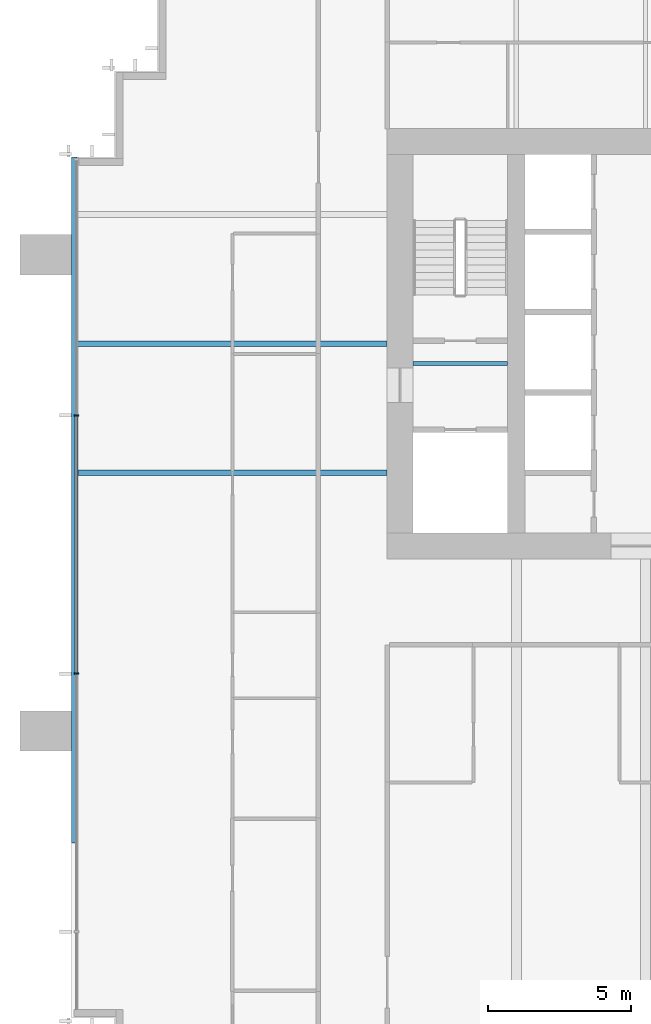
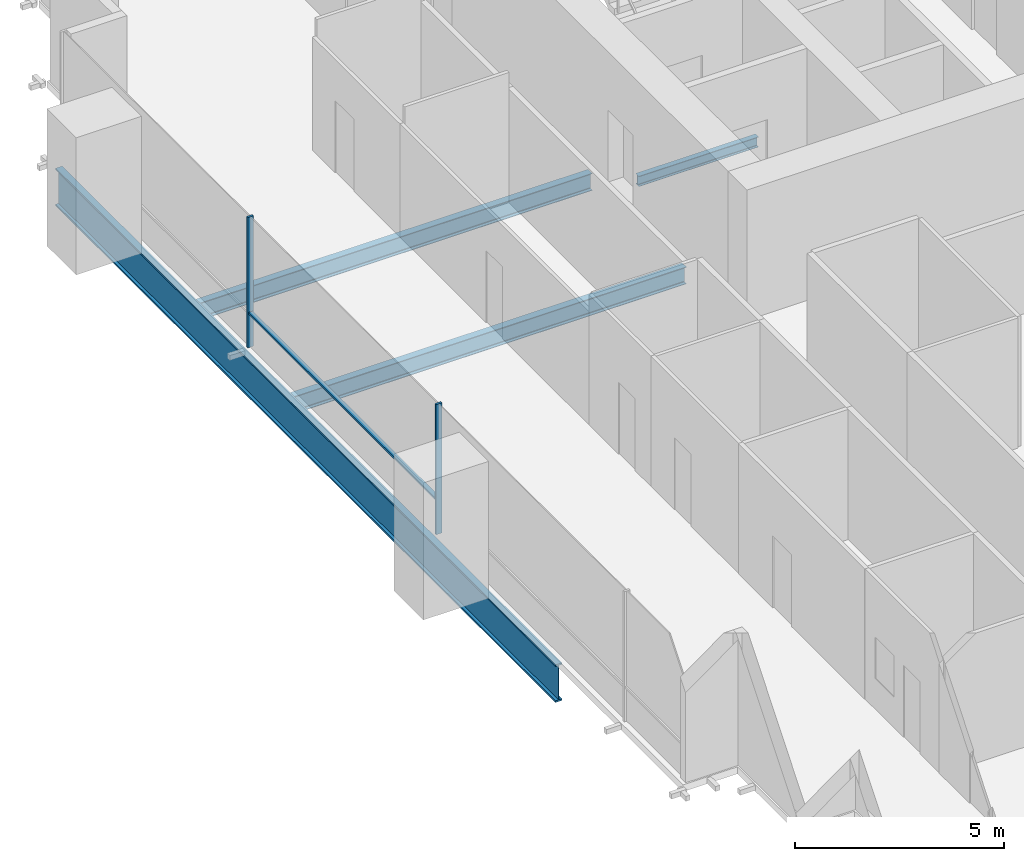
# One storey, part 4 of 15: 4 beams, 3 members, 1 element without a shape of its own.
"""IFC4 building model written with IfcOpenShell, lengths in metres."""

from ifc_helpers import new_model, si_unit, direction, frame, origin, origin_2d, place, context, subcontext, project, spatial, rectangle, i_section, extrude, material, material_profile, profile_set, type_object, element, aggregate, save


model = new_model("IFC4")

# Units and contexts
model_context = context("Model", 3, precision=1e-05, world=origin(), true_north=direction((0.0, 1.0)))
body_context = subcontext(model_context, "Body", "Model", "MODEL_VIEW")
ifc_project = project(units=[si_unit("LENGTHUNIT", "METRE"), si_unit("AREAUNIT", "SQUARE_METRE"), si_unit("VOLUMEUNIT", "CUBIC_METRE"), si_unit("PLANEANGLEUNIT", "RADIAN"), si_unit("MASSUNIT", "GRAM", prefix="KILO")], contexts=[model_context])

# Site, building, storey
site_placement = place(None, origin())
site = spatial("IfcSite", under=ifc_project, at=site_placement, CompositionType="ELEMENT")
building_placement = place(site_placement, origin())
building = spatial("IfcBuilding", under=site, at=building_placement, Name="Rattan Terrace Tower", CompositionType="ELEMENT")
storey_placement = place(building_placement, frame((0.0, 0.0, 142.10009765625)))
storey = spatial("IfcBuildingStorey", under=building, at=storey_placement, Name="L32", CompositionType="ELEMENT", Elevation=142.10009765625)

# Curtain wall, members
ifc_material_1 = material(Name="Aluminium and glass", Category="aluminium")
curtain_wall_type = type_object("IfcCurtainWallType", Name="Facade Unitised Curtain Wall", PredefinedType="NOTDEFINED", material=ifc_material_1)
curtain_wall_placement = place(storey_placement, origin())
curtain_wall = element("IfcCurtainWall", 1, at=curtain_wall_placement, inside=storey, type_object=curtain_wall_type, Name="Curtain wall L32-3", PredefinedType="NOTDEFINED")
ifc_material_2 = material(Name="Aluminium", Category="aluminium")
ifc_material_profile_1 = material_profile(ifc_material_2, rectangle(XDim=0.06005859375, YDim=0.159912109375, at=origin_2d()), Name="Aluminium 60x160")
ifc_profile_set_1 = profile_set([ifc_material_profile_1], Name="Aluminium")
member_type_1 = type_object("IfcMemberType", Name="Facade CW Mullion 60x160", PredefinedType="MULLION", material=ifc_profile_set_1)
member_1_placement = place(storey_placement, frame((-28.830078125, -2.5, 0.0), z_axis=(0.0, 0.0, 1.0), x_axis=(0.0, -1.0, 0.0)))
member_1 = element("IfcMember", 2, at=member_1_placement, type_object=member_type_1, Name="Mullion cwl-L32-003.2", PredefinedType="MULLION", context=body_context, shape_type="SweptSolid", body=[
    extrude(rectangle(XDim=0.06005859375, YDim=0.159912109375, at=origin_2d()), origin(), (0.0, 0.0, 1.0), 3.7998046875),
])
member_2_placement = place(storey_placement, frame((-28.830078125, -11.5, 0.0), z_axis=(0.0, 0.0, 1.0), x_axis=(0.0, -1.0, 0.0)))
member_2 = element("IfcMember", 3, at=member_2_placement, type_object=member_type_1, Name="Mullion cwl-L32-003.3", PredefinedType="MULLION", context=body_context, shape_type="SweptSolid", body=[
    extrude(rectangle(XDim=0.06005859375, YDim=0.159912109375, at=origin_2d()), origin(), (0.0, 0.0, 1.0), 3.7998046875),
])
ifc_material_3 = material(Name="Aluminium", Category="aluminium")
ifc_material_profile_2 = material_profile(ifc_material_3, rectangle(XDim=0.1201171875, YDim=0.06005859375, at=origin_2d()), Name="Aluminium 120x60")
ifc_profile_set_2 = profile_set([ifc_material_profile_2], Name="Aluminium")
member_type_2 = type_object("IfcMemberType", Name="Facade CW Transom 120x60", PredefinedType="USERDEFINED", material=ifc_profile_set_2)
member_3_placement = place(storey_placement, frame((-28.830078125, -2.530029296875, 1.0), z_axis=(0.0, -1.0, 0.0), x_axis=(1.0, 0.0, 0.0)))
member_3 = element("IfcMember", 4, at=member_3_placement, type_object=member_type_2, Name="Transom cwl-L32-003.2", ObjectType="TRANSOM", PredefinedType="USERDEFINED", context=body_context, shape_type="SweptSolid", body=[
    extrude(rectangle(XDim=0.1201171875, YDim=0.06005859375, at=origin_2d()), origin(), (0.0, 0.0, 1.0), 8.93994140625),
])
aggregate(curtain_wall, [member_1, member_2, member_3])

# Beams
ifc_material_4 = material(Name="Steel S460", Category="steel")
ifc_material_profile_3 = material_profile(ifc_material_4, i_section(OverallWidth=0.179931640625, OverallDepth=1.10009765625, WebThickness=0.01611328125, FlangeThickness=0.050048828125, at=origin_2d()), Name="PG 1100x180-16-50")
ifc_profile_set_3 = profile_set([ifc_material_profile_3], Name="Steel S460")
beam_type_1 = type_object("IfcBeamType", Name="Frame edge girder PG 1100x180-16-50", PredefinedType="SPANDREL", material=ifc_profile_set_3)
beam_1_placement = place(storey_placement, frame((-28.909912109375, -17.39990234375, -0.75), z_axis=(0.0, 1.0, 0.0), x_axis=(-1.0, 0.0, 0.0)))
element("IfcBeam", 5, at=beam_1_placement, inside=storey, type_object=beam_type_1, Name="gdr-L32-003", PredefinedType="SPANDREL", context=body_context, shape_type="SweptSolid", body=[
    extrude(i_section(OverallWidth=0.179931640625, OverallDepth=1.10009765625, WebThickness=0.01611328125, FlangeThickness=0.050048828125, at=origin_2d()), origin(), (0.0, 0.0, 1.0), 23.89990234375),
])
ifc_material_5 = material(Name="Steel S355", Category="steel")
ifc_material_profile_4 = material_profile(ifc_material_5, i_section(OverallWidth=0.14990234375, OverallDepth=0.300048828125, WebThickness=0.007080078125, FlangeThickness=0.0107421875, FilletRadius=0.014892578125, at=origin_2d()), Name="IPE 300")
ifc_profile_set_4 = profile_set([ifc_material_profile_4], Name="Steel S355")
beam_type_2 = type_object("IfcBeamType", Name="Frame floor beam IPE 300", PredefinedType="JOIST", material=ifc_profile_set_4)
beam_2_placement = place(storey_placement, frame((-17.10009765625, -0.695068359375, -0.35009765625), z_axis=(1.0, 0.0, 0.0), x_axis=(0.0, 1.0, 0.0)))
element("IfcBeam", 6, at=beam_2_placement, inside=storey, type_object=beam_type_2, Name="bm-L32-001", PredefinedType="JOIST", context=body_context, shape_type="SweptSolid", body=[
    extrude(i_section(OverallWidth=0.14990234375, OverallDepth=0.300048828125, WebThickness=0.007080078125, FlangeThickness=0.0107421875, FilletRadius=0.014892578125, at=origin_2d()), origin(), (0.0, 0.0, 1.0), 3.300048828125),
])
ifc_material_6 = material(Name="Steel S355", Category="steel")
ifc_material_profile_5 = material_profile(ifc_material_6, i_section(OverallWidth=0.199951171875, OverallDepth=0.5, WebThickness=0.01025390625, FlangeThickness=0.01611328125, FilletRadius=0.02099609375, at=origin_2d()), Name="IPE 500")
ifc_profile_set_5 = profile_set([ifc_material_profile_5], Name="Steel S355")
beam_type_3 = type_object("IfcBeamType", Name="Frame floor beam IPE 500", PredefinedType="JOIST", material=ifc_profile_set_5)
for number, where, z_axis, x_axis, name in (
    (7, (-28.820068359375, -4.5, -0.4501953125), (1.0, 0.0, 0.0), (0.0, 1.0, 0.0), "bm-L32-010"),
    (8, (-28.820068359375, 0.0, -0.4501953125), (1.0, 0.0, 0.0), (0.0, 1.0, 0.0), "bm-L32-012"),
):
    element("IfcBeam", number, at=place(storey_placement, frame(where, z_axis=z_axis, x_axis=x_axis)), inside=storey, type_object=beam_type_3, Name=name, PredefinedType="JOIST", context=body_context, shape_type="SweptSolid", body=[
        extrude(i_section(OverallWidth=0.199951171875, OverallDepth=0.5, WebThickness=0.01025390625, FlangeThickness=0.01611328125, FilletRadius=0.02099609375, at=origin_2d()), origin(), (0.0, 0.0, 1.0), 10.820068359375),
    ])

save(model, "model.ifc")
